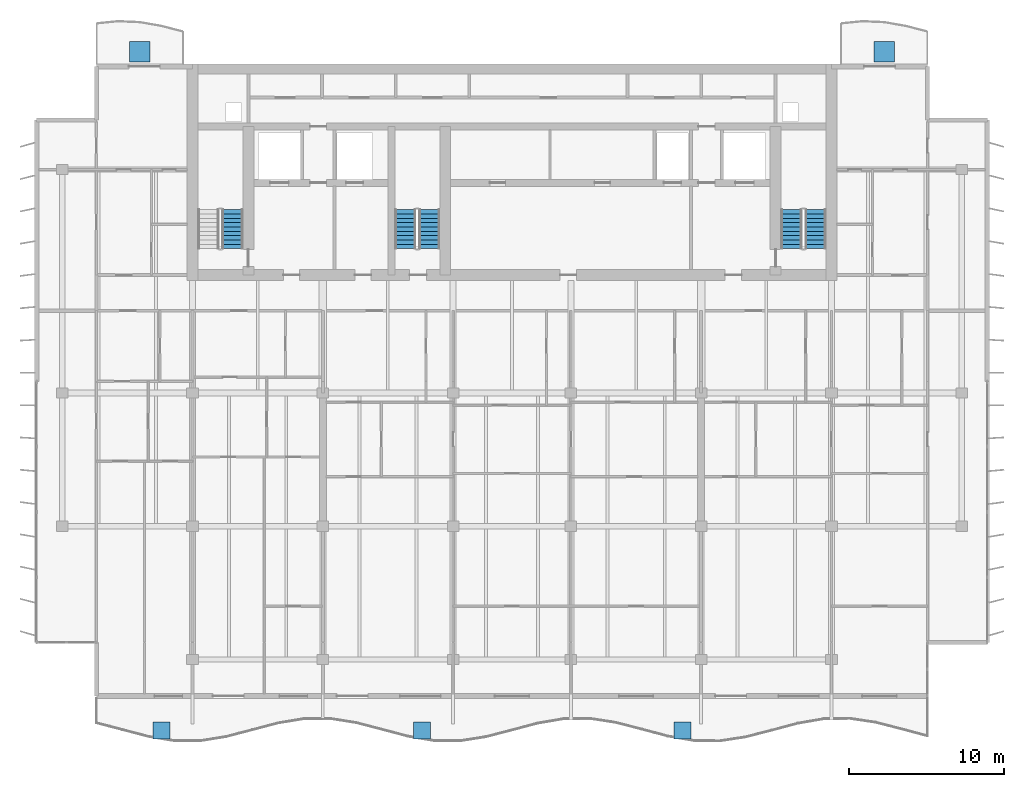
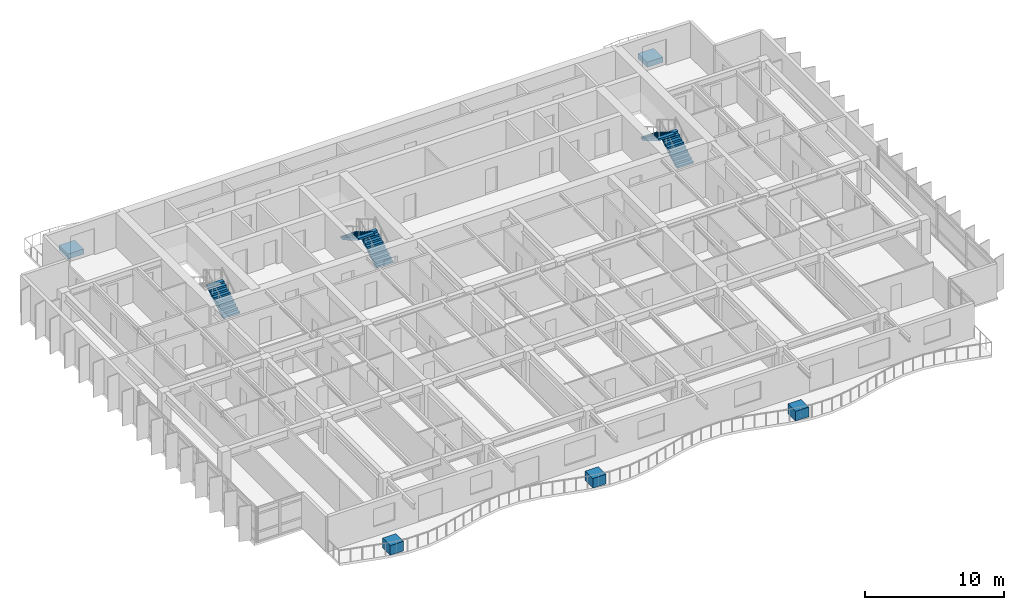
# One storey, part 11 of 16: 5 discrete accessories, 5 stair flights, 3 elements without a shape of their own.
"""IFC4 building model written with IfcOpenShell, lengths in metres."""

from ifc_helpers import new_model, si_unit, direction, frame, origin, origin_2d, place, context, subcontext, project, spatial, polyline, rectangle, outline, extrude, material, type_object, element, aggregate, save


model = new_model("IFC4")

# Units and contexts
model_context = context("Model", 3, precision=1e-05, world=origin(), true_north=direction((0.0, 1.0)))
body_context = subcontext(model_context, "Body", "Model", "MODEL_VIEW")
ifc_project = project(units=[si_unit("LENGTHUNIT", "METRE"), si_unit("AREAUNIT", "SQUARE_METRE"), si_unit("VOLUMEUNIT", "CUBIC_METRE"), si_unit("PLANEANGLEUNIT", "RADIAN"), si_unit("MASSUNIT", "GRAM", prefix="KILO")], contexts=[model_context])

# Site, building, storey
site_placement = place(None, origin())
site = spatial("IfcSite", under=ifc_project, at=site_placement, CompositionType="ELEMENT")
building_placement = place(site_placement, origin())
building = spatial("IfcBuilding", under=site, at=building_placement, Name="Caelmar Bay Residences", CompositionType="ELEMENT")
storey_placement = place(building_placement, frame((0.0, 0.0, 249.60009765625)))
storey = spatial("IfcBuildingStorey", under=building, at=storey_placement, Name="L70", CompositionType="ELEMENT", Elevation=249.60009765625)

# Stair, stair flight
ifc_material_1 = material(Name="Concrete f'c 40 MPa (6,000 psi)", Category="concrete")
stair_type = type_object("IfcStairType", Name="ST-TYP-165", PredefinedType="HALF_TURN_STAIR", material=ifc_material_1)
stair_1_placement = place(storey_placement, origin())
stair_1 = element("IfcStair", 1, at=stair_1_placement, inside=storey, type_object=stair_type, Name="L70 West Smokeproof Exit Stair ST1", PredefinedType="HALF_TURN_STAIR")
stair_flight_type = type_object("IfcStairFlightType", Name="STF-1350", PredefinedType="STRAIGHT", material=ifc_material_1)
stair_flight_1_placement = place(storey_placement, frame((20.875, 38.699951171875, 0.0), z_axis=(0.0, 0.0, 1.0), x_axis=(0.0, 1.0, 0.0)))
stair_flight_1 = element("IfcStairFlight", 2, at=stair_flight_1_placement, type_object=stair_flight_type, Name="ST1 flight 1", NumberOfRisers=10, NumberOfTreads=9, PredefinedType="STRAIGHT", RiserHeight=0.165, TreadLength=0.28, context=body_context, shape_type="SweptSolid", body=[
    extrude(outline(polyline([(0.0, 0.0), (0.0, 0.1650390625), (0.280029296875, 0.1650390625), (0.280029296875, 0.330078125), (0.56005859375, 0.330078125), (0.56005859375, 0.4951171875), (0.840087890625, 0.4951171875), (0.840087890625, 0.659912109375), (1.1201171875, 0.659912109375), (1.1201171875, 0.824951171875), (1.39990234375, 0.824951171875), (1.39990234375, 0.989990234375), (1.679931640625, 0.989990234375), (1.679931640625, 1.155029296875), (1.9599609375, 1.155029296875), (1.9599609375, 1.320068359375), (2.239990234375, 1.320068359375), (2.239990234375, 1.485107421875), (2.52001953125, 1.485107421875), (2.52001953125, 1.64990234375), (2.52001953125, 1.31103515625), (0.295166015625, 0.0), (0.0, 0.0)])), frame((0.0, 0.675048828125, 0.0), z_axis=(0.0, -1.0, 0.0), x_axis=(1.0, 0.0, 0.0)), (0.0, 0.0, 1.0), 1.35009765625),
])
aggregate(stair_1, [stair_flight_1])

# Stair, stair flights
stair_2_placement = place(storey_placement, origin())
stair_2 = element("IfcStair", 3, at=stair_2_placement, inside=storey, type_object=stair_type, Name="L70 East Smokeproof Exit Stair ST2", PredefinedType="HALF_TURN_STAIR")
stair_flight_2_placement = place(storey_placement, frame((58.47509765625, 38.699951171875, 0.0), z_axis=(0.0, 0.0, 1.0), x_axis=(0.0, 1.0, 0.0)))
stair_flight_2 = element("IfcStairFlight", 4, at=stair_flight_2_placement, type_object=stair_flight_type, Name="ST2 flight 1", NumberOfRisers=10, NumberOfTreads=9, PredefinedType="STRAIGHT", RiserHeight=0.165, TreadLength=0.28, context=body_context, shape_type="SweptSolid", body=[
    extrude(outline(polyline([(0.0, 0.0), (0.0, 0.1650390625), (0.280029296875, 0.1650390625), (0.280029296875, 0.330078125), (0.56005859375, 0.330078125), (0.56005859375, 0.4951171875), (0.840087890625, 0.4951171875), (0.840087890625, 0.659912109375), (1.1201171875, 0.659912109375), (1.1201171875, 0.824951171875), (1.39990234375, 0.824951171875), (1.39990234375, 0.989990234375), (1.679931640625, 0.989990234375), (1.679931640625, 1.155029296875), (1.9599609375, 1.155029296875), (1.9599609375, 1.320068359375), (2.239990234375, 1.320068359375), (2.239990234375, 1.485107421875), (2.52001953125, 1.485107421875), (2.52001953125, 1.64990234375), (2.52001953125, 1.31103515625), (0.295166015625, 0.0), (0.0, 0.0)])), frame((0.0, 0.675048828125, 0.0), z_axis=(0.0, -1.0, 0.0), x_axis=(1.0, 0.0, 0.0)), (0.0, 0.0, 1.0), 1.35009765625),
])
stair_flight_3_placement = place(storey_placement, frame((56.925048828125, 41.219970703125, 1.64990234375), z_axis=(0.0, 0.0, 1.0), x_axis=(0.0, -1.0, 0.0)))
stair_flight_3 = element("IfcStairFlight", 5, at=stair_flight_3_placement, type_object=stair_flight_type, Name="ST2 flight 2", NumberOfRisers=10, NumberOfTreads=9, PredefinedType="STRAIGHT", RiserHeight=0.165, TreadLength=0.28, context=body_context, shape_type="SweptSolid", body=[
    extrude(outline(polyline([(0.0, 0.0), (0.0, 0.1650390625), (0.280029296875, 0.1650390625), (0.280029296875, 0.330078125), (0.56005859375, 0.330078125), (0.56005859375, 0.4951171875), (0.840087890625, 0.4951171875), (0.840087890625, 0.659912109375), (1.1201171875, 0.659912109375), (1.1201171875, 0.824951171875), (1.39990234375, 0.824951171875), (1.39990234375, 0.989990234375), (1.679931640625, 0.989990234375), (1.679931640625, 1.155029296875), (1.9599609375, 1.155029296875), (1.9599609375, 1.320068359375), (2.239990234375, 1.320068359375), (2.239990234375, 1.485107421875), (2.52001953125, 1.485107421875), (2.52001953125, 1.64990234375), (2.52001953125, 1.31103515625), (0.295166015625, 0.0), (0.0, 0.0)])), frame((0.0, 0.675048828125, 0.0), z_axis=(0.0, -1.0, 0.0), x_axis=(1.0, 0.0, 0.0)), (0.0, 0.0, 1.0), 1.35009765625),
])
aggregate(stair_2, [stair_flight_2, stair_flight_3])

stair_3_placement = place(storey_placement, origin())
stair_3 = element("IfcStair", 6, at=stair_3_placement, inside=storey, type_object=stair_type, Name="L70 Central Smokeproof Exit Stair ST3", PredefinedType="HALF_TURN_STAIR")
stair_flight_4_placement = place(storey_placement, frame((33.574951171875, 38.699951171875, 0.0), z_axis=(0.0, 0.0, 1.0), x_axis=(0.0, 1.0, 0.0)))
stair_flight_4 = element("IfcStairFlight", 7, at=stair_flight_4_placement, type_object=stair_flight_type, Name="ST3 flight 1", NumberOfRisers=10, NumberOfTreads=9, PredefinedType="STRAIGHT", RiserHeight=0.165, TreadLength=0.28, context=body_context, shape_type="SweptSolid", body=[
    extrude(outline(polyline([(0.0, 0.0), (0.0, 0.1650390625), (0.280029296875, 0.1650390625), (0.280029296875, 0.330078125), (0.56005859375, 0.330078125), (0.56005859375, 0.4951171875), (0.840087890625, 0.4951171875), (0.840087890625, 0.659912109375), (1.1201171875, 0.659912109375), (1.1201171875, 0.824951171875), (1.39990234375, 0.824951171875), (1.39990234375, 0.989990234375), (1.679931640625, 0.989990234375), (1.679931640625, 1.155029296875), (1.9599609375, 1.155029296875), (1.9599609375, 1.320068359375), (2.239990234375, 1.320068359375), (2.239990234375, 1.485107421875), (2.52001953125, 1.485107421875), (2.52001953125, 1.64990234375), (2.52001953125, 1.31103515625), (0.295166015625, 0.0), (0.0, 0.0)])), frame((0.0, 0.675048828125, 0.0), z_axis=(0.0, -1.0, 0.0), x_axis=(1.0, 0.0, 0.0)), (0.0, 0.0, 1.0), 1.35009765625),
])
stair_flight_5_placement = place(storey_placement, frame((32.02490234375, 41.219970703125, 1.64990234375), z_axis=(0.0, 0.0, 1.0), x_axis=(0.0, -1.0, 0.0)))
stair_flight_5 = element("IfcStairFlight", 8, at=stair_flight_5_placement, type_object=stair_flight_type, Name="ST3 flight 2", NumberOfRisers=10, NumberOfTreads=9, PredefinedType="STRAIGHT", RiserHeight=0.165, TreadLength=0.28, context=body_context, shape_type="SweptSolid", body=[
    extrude(outline(polyline([(0.0, 0.0), (0.0, 0.1650390625), (0.280029296875, 0.1650390625), (0.280029296875, 0.330078125), (0.56005859375, 0.330078125), (0.56005859375, 0.4951171875), (0.840087890625, 0.4951171875), (0.840087890625, 0.659912109375), (1.1201171875, 0.659912109375), (1.1201171875, 0.824951171875), (1.39990234375, 0.824951171875), (1.39990234375, 0.989990234375), (1.679931640625, 0.989990234375), (1.679931640625, 1.155029296875), (1.9599609375, 1.155029296875), (1.9599609375, 1.320068359375), (2.239990234375, 1.320068359375), (2.239990234375, 1.485107421875), (2.52001953125, 1.485107421875), (2.52001953125, 1.64990234375), (2.52001953125, 1.31103515625), (0.295166015625, 0.0), (0.0, 0.0)])), frame((0.0, 0.675048828125, 0.0), z_axis=(0.0, -1.0, 0.0), x_axis=(1.0, 0.0, 0.0)), (0.0, 0.0, 1.0), 1.35009765625),
])
aggregate(stair_3, [stair_flight_4, stair_flight_5])

# Discrete accessories
ifc_material_2 = material(Name="Architectural bronze GRC planter trough with volcanic-lapilli substrate")
discrete_accessory_type_1 = type_object("IfcDiscreteAccessoryType", Name="ACC-PLANTER-1100", PredefinedType="USERDEFINED", material=ifc_material_2)
for number, where, z_axis, x_axis, name in (
    (9, (16.300048828125, 7.643310546875, -0.000244140625), (0.0, 0.0, 1.0), (1.0, 0.0, 0.0), "L70 Balcony Structural Tree Planter 1"),
    (10, (33.10009765625, 7.643310546875, -0.000244140625), (0.0, 0.0, 1.0), (1.0, 0.0, 0.0), "L70 Balcony Structural Tree Planter 2"),
    (11, (49.89990234375, 7.643310546875, -0.000244140625), (0.0, 0.0, 1.0), (1.0, 0.0, 0.0), "L70 Balcony Structural Tree Planter 3"),
):
    element("IfcDiscreteAccessory", number, at=place(storey_placement, frame(where, z_axis=z_axis, x_axis=x_axis)), inside=storey, type_object=discrete_accessory_type_1, Name=name, ObjectType="PLANTER", PredefinedType="USERDEFINED", context=body_context, shape_type="SweptSolid", body=[
        extrude(rectangle(XDim=1.10009765625, YDim=1.10009765625, at=origin_2d()), origin(), (0.0, 0.0, 1.0), 0.85009765625),
    ])
ifc_material_3 = material(Name="Precast concrete f'c 40 MPa (6,000 psi)", Category="concrete")
discrete_accessory_type_2 = type_object("IfcDiscreteAccessoryType", Name="STR-PLANTER-KERB-450", PredefinedType="USERDEFINED", material=ifc_material_3)
for number, where, z_axis, x_axis, name in (
    (12, (14.89990234375, 51.39990234375, 0.0), (0.0, 0.0, 1.0), (1.0, 0.0, 0.0), "L70 north_west Structural Tree Planter Kerb"),
    (13, (62.89990234375, 51.39990234375, 0.0), (0.0, 0.0, 1.0), (1.0, 0.0, 0.0), "L70 north_east Structural Tree Planter Kerb"),
):
    element("IfcDiscreteAccessory", number, at=place(storey_placement, frame(where, z_axis=z_axis, x_axis=x_axis)), inside=storey, type_object=discrete_accessory_type_2, Name=name, ObjectType="PLANTER", PredefinedType="USERDEFINED", context=body_context, shape_type="SweptSolid", body=[
        extrude(rectangle(XDim=1.300048828125, YDim=1.300048828125, at=origin_2d()), origin(), (0.0, 0.0, 1.0), 0.449951171875),
    ])

save(model, "model.ifc")
